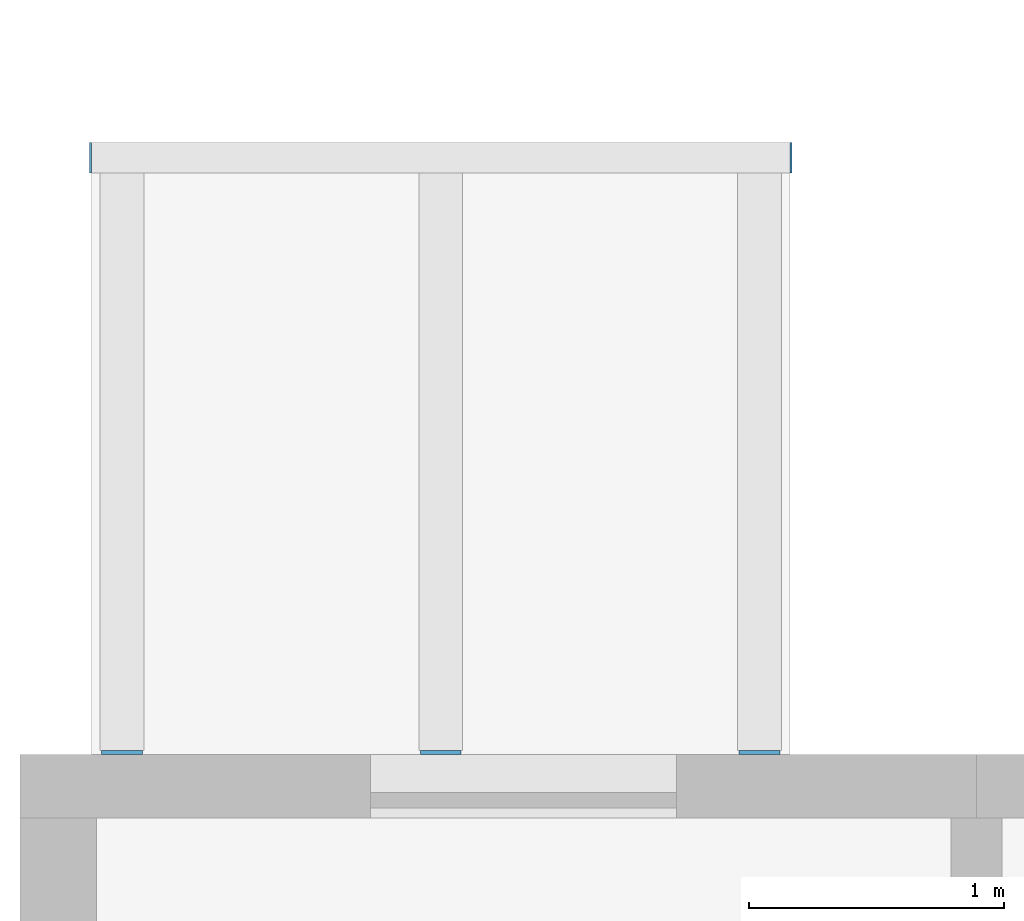
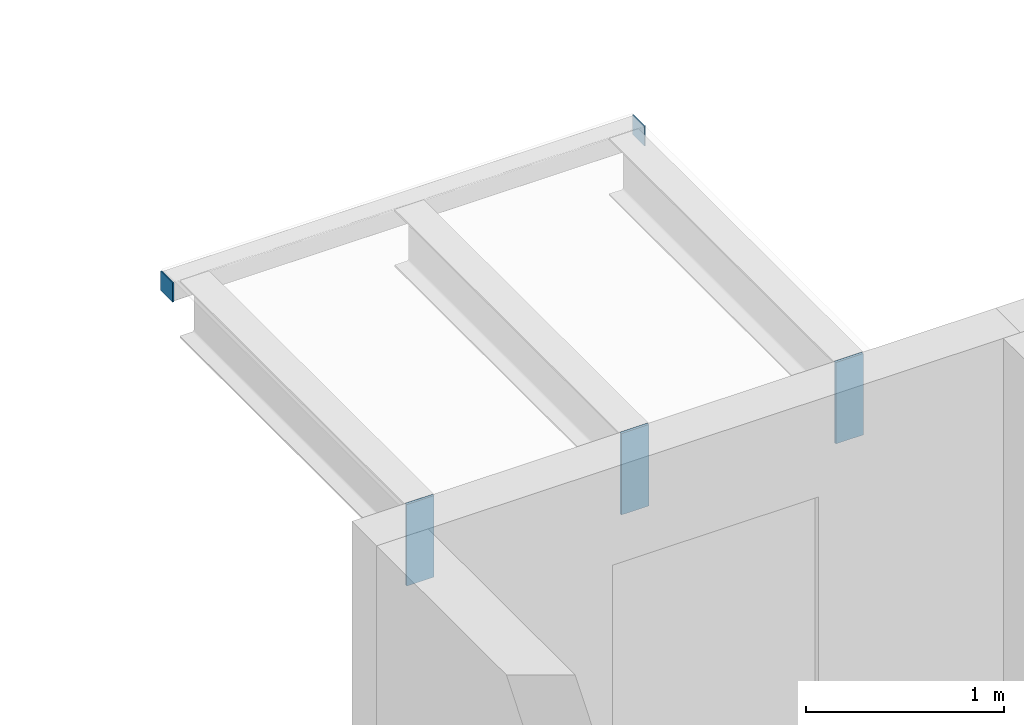
# One storey, part 63 of 94: 5 discrete accessories.
"""IFC4 building model written with IfcOpenShell, lengths in metres."""

from ifc_helpers import new_model, si_unit, direction, frame, origin, origin_2d, place, context, subcontext, project, spatial, rectangle, extrude, material, layer, layer_set, type_object, element, save


model = new_model("IFC4")

# Units and contexts
model_context = context("Model", 3, precision=1e-05, world=origin(), true_north=direction((0.0, 1.0)))
body_context = subcontext(model_context, "Body", "Model", "MODEL_VIEW")
ifc_project = project(units=[si_unit("LENGTHUNIT", "METRE"), si_unit("AREAUNIT", "SQUARE_METRE"), si_unit("VOLUMEUNIT", "CUBIC_METRE"), si_unit("PLANEANGLEUNIT", "RADIAN"), si_unit("MASSUNIT", "GRAM", prefix="KILO")], contexts=[model_context])

# Site, building, storey
site_placement = place(None, origin())
site = spatial("IfcSite", under=ifc_project, at=site_placement, CompositionType="ELEMENT")
building_placement = place(site_placement, origin())
building = spatial("IfcBuilding", under=site, at=building_placement, Name="Ridgestep Commons", CompositionType="ELEMENT")
storey_placement = place(building_placement, frame((0.0, 0.0, 21.0)))
storey = spatial("IfcBuildingStorey", under=building, at=storey_placement, Name="L07", CompositionType="ELEMENT", Elevation=21.0)

# Discrete accessories
ifc_material_1 = material(Name="Weathering steel S355J2W", Category="steel")
ifc_layer_1 = layer(ifc_material_1, 0.014892578125)
ifc_layer_set_1 = layer_set([ifc_layer_1], Name="Tray bracket plate 15")
discrete_accessory_type_1 = type_object("IfcDiscreteAccessoryType", Name="Tray bracket plate 15", PredefinedType="BRACKET", material=ifc_layer_set_1)
for number, where, z_axis, x_axis, name in (
    (1, (12.25, 23.007568359375, 2.488525390625), (0.0, 0.0, 1.0), (1.0, 0.0, 0.0), "Tray bracket A1T1-08.1"),
    (2, (13.5, 23.007568359375, 2.488525390625), (0.0, 0.0, 1.0), (1.0, 0.0, 0.0), "Tray bracket A1T1-08.2"),
    (3, (14.75, 23.007568359375, 2.488525390625), (0.0, 0.0, 1.0), (1.0, 0.0, 0.0), "Tray bracket A1T1-08.3"),
):
    element("IfcDiscreteAccessory", number, at=place(storey_placement, frame(where, z_axis=z_axis, x_axis=x_axis)), inside=storey, type_object=discrete_accessory_type_1, Name=name, PredefinedType="BRACKET", context=body_context, shape_type="SweptSolid", body=[
        extrude(rectangle(XDim=0.159912109375, YDim=0.014892578125, at=origin_2d()), origin(), (0.0, 0.0, 1.0), 0.50146484375),
    ])
ifc_material_2 = material(Name="Weathering steel S355J2W", Category="steel")
ifc_layer_2 = layer(ifc_material_2, 0.008056640625)
ifc_layer_set_2 = layer_set([ifc_layer_2], Name="Tray edge member end plate 120 x 120 x 8")
discrete_accessory_type_2 = type_object("IfcDiscreteAccessoryType", Name="Tray edge member end plate 120 x 120 x 8", PredefinedType="BRACKET", material=ifc_layer_set_2)
for number, where, z_axis, x_axis, name in (
    (4, (12.1259765625, 25.340087890625, 2.869873046875), (0.0, 0.0, 1.0), (1.0, 0.0, 0.0), "Tray edge member end plate A1T1-08 west"),
    (5, (14.8740234375, 25.340087890625, 2.869873046875), (0.0, 0.0, 1.0), (1.0, 0.0, 0.0), "Tray edge member end plate A1T1-08 east"),
):
    element("IfcDiscreteAccessory", number, at=place(storey_placement, frame(where, z_axis=z_axis, x_axis=x_axis)), inside=storey, type_object=discrete_accessory_type_2, Name=name, PredefinedType="BRACKET", context=body_context, shape_type="SweptSolid", body=[
        extrude(rectangle(XDim=0.008056640625, YDim=0.1201171875, at=origin_2d()), origin(), (0.0, 0.0, 1.0), 0.1201171875),
    ])

save(model, "model.ifc")
